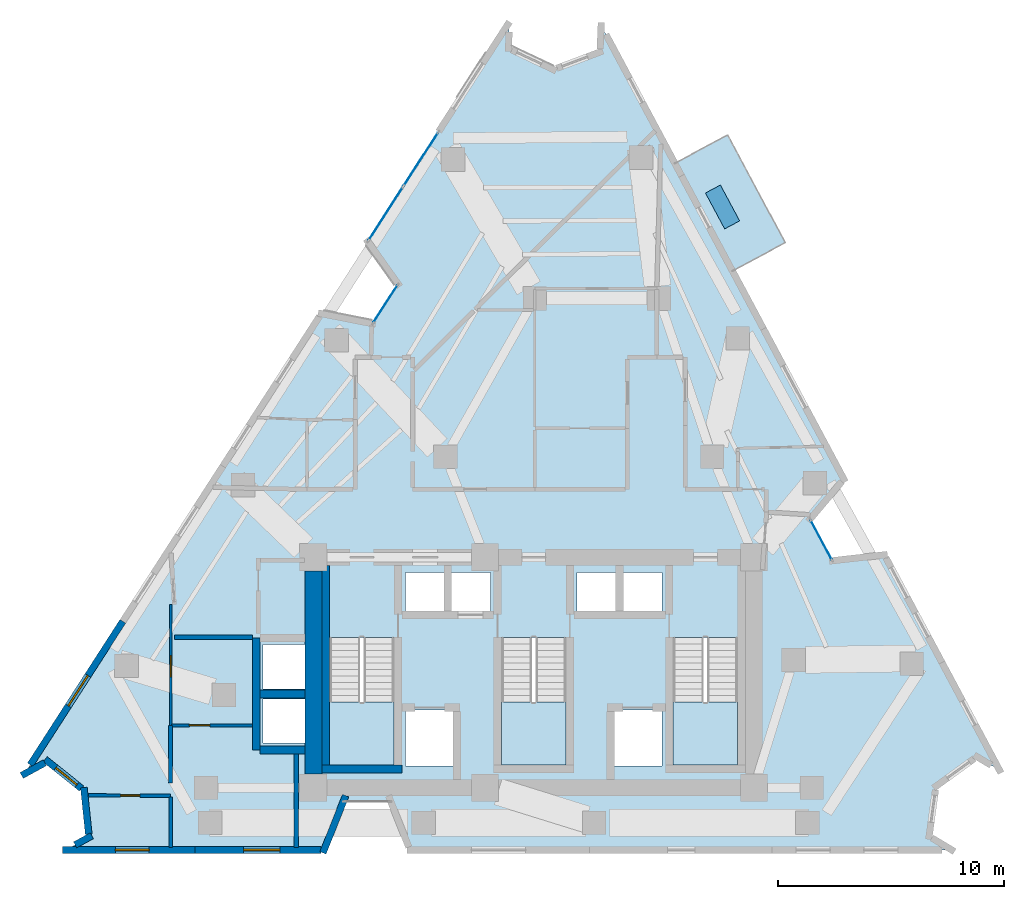
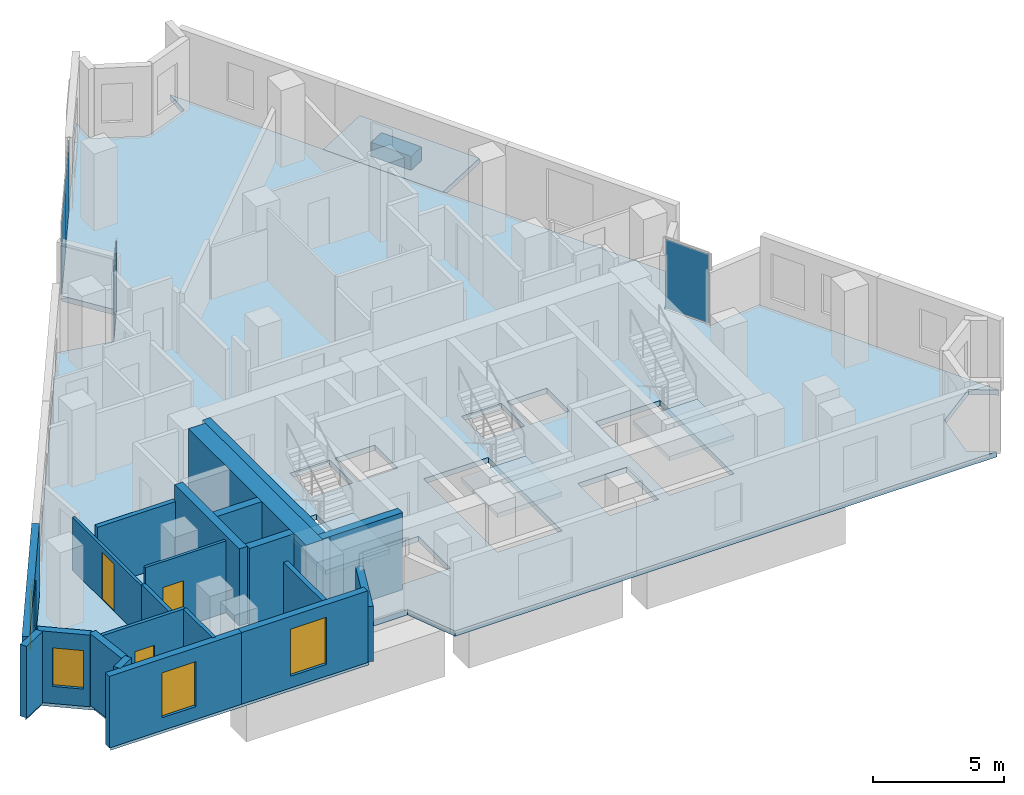
# One storey, part 6 of 11: 21 walls, 5 plates, 5 slabs, 4 windows, 3 doors, 7 openings, 6 elements without a shape of their own.
"""IFC4 building model written with IfcOpenShell, lengths in metres."""

from ifc_helpers import new_model, si_unit, direction, frame, frame_2d, origin, origin_2d, place, context, subcontext, project, spatial, polyline, rectangle, outline, extrude, material, layer, layer_set, type_object, element, fill, aggregate, save


model = new_model("IFC4")

# Units and contexts
model_context = context("Model", 3, precision=1e-05, world=origin(), true_north=direction((0.0, 1.0)))
body_context = subcontext(model_context, "Body", "Model", "MODEL_VIEW")
ifc_project = project(units=[si_unit("LENGTHUNIT", "METRE"), si_unit("AREAUNIT", "SQUARE_METRE"), si_unit("VOLUMEUNIT", "CUBIC_METRE"), si_unit("PLANEANGLEUNIT", "RADIAN"), si_unit("MASSUNIT", "GRAM", prefix="KILO")], contexts=[model_context])

# Site, building, storey
site_placement = place(None, origin())
site = spatial("IfcSite", under=ifc_project, at=site_placement, CompositionType="ELEMENT")
building_placement = place(site_placement, origin())
building = spatial("IfcBuilding", under=site, at=building_placement, Name="Almagre Mirador Tower", CompositionType="ELEMENT")
storey_placement = place(building_placement, frame((0.0, 0.0, 175.199951171875)))
storey = spatial("IfcBuildingStorey", under=building, at=storey_placement, Name="L45", CompositionType="ELEMENT", Elevation=175.199951171875)

# Curtain wall, plate
ifc_material_1 = material(Name="Black anodized aluminium", Category="aluminium")
ifc_layer_1 = layer(ifc_material_1, 0.169921875)
ifc_layer_set_1 = layer_set([ifc_layer_1], Name="Black anodized aluminium")
curtain_wall_type_1 = type_object("IfcCurtainWallType", Name="CW-CRS-SYS", PredefinedType="NOTDEFINED", material=ifc_layer_set_1)
curtain_wall_1_placement = place(storey_placement, origin())
curtain_wall_1 = element("IfcCurtainWall", 1, at=curtain_wall_1_placement, inside=storey, type_object=curtain_wall_type_1, Name="L45 vertical crease curtain wall 01", PredefinedType="NOTDEFINED")
ifc_material_2 = material(Name="Dark solar-control laminated hurricane glass", Category="glass")
ifc_layer_2 = layer(ifc_material_2, 0.028076171875)
ifc_layer_set_2 = layer_set([ifc_layer_2], Name="Dark solar-control laminated hurricane glass")
plate_type_1 = type_object("IfcPlateType", Name="PLT-GLZ-28", PredefinedType="CURTAIN_PANEL", material=ifc_layer_set_2)
plate_1_placement = place(storey_placement, frame((30.740966796875, 25.958984375, 0.06005859375), z_axis=(0.0, 0.0, 1.0), x_axis=(0.541821572943, 0.840493535426, 0.0)))
plate_1 = element("IfcPlate", 2, at=plate_1_placement, type_object=plate_type_1, Name="CW-4 panel 1.1", PredefinedType="CURTAIN_PANEL", context=body_context, shape_type="SweptSolid", body=[
    extrude(rectangle(XDim=1.96923828125, YDim=0.028076171875, at=origin_2d()), origin(), (0.0, 0.0, 1.0), 3.22998046875),
])
aggregate(curtain_wall_1, [plate_1])

curtain_wall_2_placement = place(storey_placement, origin())
curtain_wall_2 = element("IfcCurtainWall", 3, at=curtain_wall_2_placement, inside=storey, type_object=curtain_wall_type_1, Name="L45 vertical crease curtain wall 03", PredefinedType="NOTDEFINED")
plate_2_placement = place(storey_placement, frame((50.02392578125, 15.514404296875, 0.06005859375), z_axis=(0.0, 0.0, 1.0), x_axis=(0.47173010875, -0.881742992316, 0.0)))
plate_2 = element("IfcPlate", 4, at=plate_2_placement, type_object=plate_type_1, Name="CW-4 panel 1.1", PredefinedType="CURTAIN_PANEL", context=body_context, shape_type="SweptSolid", body=[
    extrude(rectangle(XDim=1.97021484375, YDim=0.028076171875, at=origin_2d()), origin(), (0.0, 0.0, 1.0), 3.22998046875),
])
aggregate(curtain_wall_2, [plate_2])

# Curtain wall, plates
ifc_material_3 = material(Name="Black anodized aluminium", Category="aluminium")
ifc_layer_3 = layer(ifc_material_3, 0.199951171875)
ifc_layer_set_3 = layer_set([ifc_layer_3], Name="Black anodized aluminium")
curtain_wall_type_2 = type_object("IfcCurtainWallType", Name="CW-RES-H-SYS", PredefinedType="NOTDEFINED", material=ifc_layer_set_3)
curtain_wall_3_placement = place(storey_placement, origin())
curtain_wall_3 = element("IfcCurtainWall", 5, at=curtain_wall_3_placement, inside=storey, type_object=curtain_wall_type_2, Name="L45 curtain wall run 02", PredefinedType="NOTDEFINED")
ifc_material_4 = material(Name="Dark solar-control laminated hurricane glass", Category="glass")
ifc_layer_4 = layer(ifc_material_4, 0.035888671875)
ifc_layer_set_4 = layer_set([ifc_layer_4], Name="Dark solar-control laminated hurricane glass")
plate_type_2 = type_object("IfcPlateType", Name="PLT-GLZ-36", PredefinedType="CURTAIN_PANEL", material=ifc_layer_set_4)
plate_3_placement = place(storey_placement, frame((30.75634765625, 29.949462890625, 0.06494140625), z_axis=(0.0, 0.0, 1.0), x_axis=(0.542024442963, 0.840362721229, 0.0)))
plate_3 = element("IfcPlate", 6, at=plate_3_placement, type_object=plate_type_2, Name="CW-3 panel 1.1", PredefinedType="CURTAIN_PANEL", context=body_context, shape_type="SweptSolid", body=[
    extrude(rectangle(XDim=2.79345703125, YDim=0.035888671875, at=origin_2d()), origin(), (0.0, 0.0, 1.0), 3.219970703125),
])
plate_4_placement = place(storey_placement, frame((32.3056640625, 32.3515625, 0.06494140625), z_axis=(0.0, 0.0, 1.0), x_axis=(0.542024442963, 0.840362721229, 0.0)))
plate_4 = element("IfcPlate", 7, at=plate_4_placement, type_object=plate_type_2, Name="CW-3 panel 2.1", PredefinedType="CURTAIN_PANEL", context=body_context, shape_type="SweptSolid", body=[
    extrude(rectangle(XDim=2.79345703125, YDim=0.035888671875, at=origin_2d()), origin(), (0.0, 0.0, 1.0), 3.219970703125),
])
aggregate(curtain_wall_3, [plate_3, plate_4])

# Plate
ifc_material_5 = material(Name="Precast concrete C50/60", Category="concrete")
ifc_layer_5 = layer(ifc_material_5, 0.64990234375)
ifc_layer_set_5 = layer_set([ifc_layer_5], Name="Precast concrete C50/60")
plate_type_3 = type_object("IfcPlateType", Name="PLT-PLANTER-1800", PredefinedType="USERDEFINED", material=ifc_layer_set_5)
plate_5_placement = place(storey_placement, frame((45.657958984375, 30.248046875, 0.0), z_axis=(0.0, 0.0, 1.0), x_axis=(-0.471735335523, 0.881740195987, 0.0)))
element("IfcPlate", 8, at=plate_5_placement, inside=storey, type_object=plate_type_3, Name="L45 east balcony structural tree planter 1", ObjectType="PLANTER", PredefinedType="USERDEFINED", context=body_context, shape_type="SweptSolid", body=[
    extrude(rectangle(XDim=1.800048828125, YDim=0.75, at=origin_2d()), origin(), (0.0, 0.0, 1.0), 0.64990234375),
])

# Slabs
ifc_material_6 = material(Name="Concrete C45/55", Category="concrete")
ifc_layer_6 = layer(ifc_material_6, 0.239990234375)
ifc_layer_set_6 = layer_set([ifc_layer_6], Name="Concrete C45/55")
slab_type_1 = type_object("IfcSlabType", Name="SLB-BAL-240", PredefinedType="USERDEFINED", material=ifc_layer_set_6)
slab_1_placement = place(storey_placement, frame((0.0, 0.0, -0.239990234375)))
element("IfcSlab", 9, at=slab_1_placement, inside=storey, type_object=slab_type_1, Name="L45 east planted tree balcony 1", ObjectType="BALCONY", PredefinedType="USERDEFINED", context=body_context, shape_type="SweptSolid", body=[
    extrude(outline(polyline([(46.075927734375, 27.409912109375), (43.528076171875, 32.172119140625), (45.883056640625, 33.430908203125), (48.429931640625, 28.6689453125), (46.075927734375, 27.409912109375)])), origin(), (0.0, 0.0, 1.0), 0.239990234375),
])
ifc_material_7 = material(Name="Concrete C45/55", Category="concrete")
ifc_layer_7 = layer(ifc_material_7, 0.25)
ifc_layer_set_7 = layer_set([ifc_layer_7], Name="Concrete C45/55")
slab_type_2 = type_object("IfcSlabType", Name="SLB-FLR-250", PredefinedType="FLOOR", material=ifc_layer_set_7)
slab_2_placement = place(storey_placement, frame((0.0, 0.0, -0.25)))
element("IfcSlab", 10, at=slab_2_placement, inside=storey, type_object=slab_type_2, Name="L45 structural floor slab", PredefinedType="FLOOR", context=body_context, shape_type="SweptSolid", body=[
    extrude(outline(polyline([(14.76806640625, 5.160888671875), (15.794921875, 5.720947265625), (17.412109375, 4.422119140625), (17.626953125, 2.360107421875), (16.60009765625, 1.800048828125), (28.028076171875, 1.800048828125), (28.883056640625, 3.949951171875), (30.972900390625, 3.949951171875), (31.827880859375, 1.800048828125), (55.800048828125, 1.800048828125), (54.7958984375, 2.40087890625), (55.09912109375, 4.615966796875), (56.908935546875, 5.927978515625), (57.9130859375, 5.326904296875), (52.81591796875, 14.85302734375), (50.51708984375, 14.593017578125), (49.531005859375, 16.43603515625), (51.02392578125, 18.2041015625), (40.287109375, 38.27294921875), (40.239013671875, 37.10400390625), (38.176025390625, 36.324951171875), (36.18408203125, 37.27001953125), (36.23193359375, 38.43896484375), (29.964111328125, 28.720947265625), (31.306884765625, 26.8369140625), (30.175048828125, 25.0810546875), (27.904052734375, 25.528076171875), (14.76806640625, 5.160888671875)]), holes=[polyline([(43.47509765625, 5.550048828125), (43.47509765625, 11.196044921875), (46.324951171875, 11.196044921875), (46.324951171875, 5.550048828125), (43.47509765625, 5.550048828125)]), polyline([(40.820068359375, 5.52001953125), (40.820068359375, 7.97998046875), (42.97998046875, 7.97998046875), (42.97998046875, 5.52001953125), (40.820068359375, 5.52001953125)]), polyline([(41.219970703125, 12.320068359375), (41.219970703125, 14.080078125), (42.97998046875, 14.080078125), (42.97998046875, 12.320068359375), (41.219970703125, 12.320068359375)]), polyline([(39.219970703125, 12.320068359375), (39.219970703125, 14.080078125), (40.97998046875, 14.080078125), (40.97998046875, 12.320068359375), (39.219970703125, 12.320068359375)]), polyline([(35.875, 11.196044921875), (38.72509765625, 11.196044921875), (38.72509765625, 5.550048828125), (35.875, 5.550048828125), (35.875, 11.196044921875)]), polyline([(35.3798828125, 12.320068359375), (33.6201171875, 12.320068359375), (33.6201171875, 14.080078125), (35.3798828125, 14.080078125), (35.3798828125, 12.320068359375)]), polyline([(33.780029296875, 5.52001953125), (31.6201171875, 5.52001953125), (31.6201171875, 7.97998046875), (33.780029296875, 7.97998046875), (33.780029296875, 5.52001953125)]), polyline([(31.6201171875, 12.320068359375), (31.6201171875, 14.080078125), (33.3798828125, 14.080078125), (33.3798828125, 12.320068359375), (31.6201171875, 12.320068359375)]), polyline([(28.27490234375, 5.550048828125), (28.27490234375, 11.196044921875), (31.125, 11.196044921875), (31.125, 5.550048828125), (28.27490234375, 5.550048828125)]), polyline([(25.320068359375, 8.919921875), (25.320068359375, 10.8798828125), (27.3798828125, 10.8798828125), (27.3798828125, 8.919921875), (25.320068359375, 8.919921875)]), polyline([(27.3798828125, 6.52001953125), (25.320068359375, 6.52001953125), (25.320068359375, 8.47998046875), (27.3798828125, 8.47998046875), (27.3798828125, 6.52001953125)])]), origin(), (0.0, 0.0, 1.0), 0.25),
])

# Stair, slab
ifc_material_8 = material(Name="Concrete C45/55", Category="concrete")
stair_type = type_object("IfcStairType", Name="STR-DL-3600", PredefinedType="HALF_TURN_STAIR", material=ifc_material_8)
stair_1_placement = place(storey_placement, origin())
stair_1 = element("IfcStair", 11, at=stair_1_placement, inside=storey, type_object=stair_type, Name="L45 Protected exit stair ST-1", PredefinedType="HALF_TURN_STAIR")
ifc_material_9 = material(Name="Concrete C45/55", Category="concrete")
ifc_layer_8 = layer(ifc_material_9, 0.199951171875)
ifc_layer_set_8 = layer_set([ifc_layer_8], Name="Concrete C45/55")
slab_type_3 = type_object("IfcSlabType", Name="SLB-LND-200", PredefinedType="LANDING", material=ifc_layer_set_8)
slab_3_placement = place(storey_placement, frame((0.0, 0.0, 1.60009765625)))
slab_3 = element("IfcSlab", 12, at=slab_3_placement, type_object=slab_type_3, Name="ST-1 landing 1", PredefinedType="LANDING", context=body_context, shape_type="SweptSolid", body=[
    extrude(outline(polyline([(28.27490234375, 8.35009765625), (28.27490234375, 5.550048828125), (31.125, 5.550048828125), (31.125, 8.35009765625), (28.27490234375, 8.35009765625)])), origin(), (0.0, 0.0, 1.0), 0.199951171875),
])
aggregate(stair_1, [slab_3])

stair_2_placement = place(storey_placement, origin())
stair_2 = element("IfcStair", 13, at=stair_2_placement, inside=storey, type_object=stair_type, Name="L45 Protected exit stair ST-2", PredefinedType="HALF_TURN_STAIR")
slab_4_placement = place(storey_placement, frame((0.0, 0.0, 1.60009765625)))
slab_4 = element("IfcSlab", 14, at=slab_4_placement, type_object=slab_type_3, Name="ST-2 landing 1", PredefinedType="LANDING", context=body_context, shape_type="SweptSolid", body=[
    extrude(outline(polyline([(35.875, 8.35009765625), (35.875, 5.550048828125), (38.72509765625, 5.550048828125), (38.72509765625, 8.35009765625), (35.875, 8.35009765625)])), origin(), (0.0, 0.0, 1.0), 0.199951171875),
])
aggregate(stair_2, [slab_4])

stair_3_placement = place(storey_placement, origin())
stair_3 = element("IfcStair", 15, at=stair_3_placement, inside=storey, type_object=stair_type, Name="L45 Protected exit stair ST-3", PredefinedType="HALF_TURN_STAIR")
slab_5_placement = place(storey_placement, frame((0.0, 0.0, 1.60009765625)))
slab_5 = element("IfcSlab", 16, at=slab_5_placement, type_object=slab_type_3, Name="ST-3 landing 1", PredefinedType="LANDING", context=body_context, shape_type="SweptSolid", body=[
    extrude(outline(polyline([(43.47509765625, 8.35009765625), (43.47509765625, 5.550048828125), (46.324951171875, 5.550048828125), (46.324951171875, 8.35009765625), (43.47509765625, 8.35009765625)])), origin(), (0.0, 0.0, 1.0), 0.199951171875),
])
aggregate(stair_3, [slab_5])

# Wall
ifc_material_10 = material(Name="Precast concrete C50/60", Category="concrete")
ifc_layer_9 = layer(ifc_material_10, 0.300048828125)
ifc_layer_set_9 = layer_set([ifc_layer_9], Name="Precast concrete C50/60")
wall_type_1 = type_object("IfcWallType", Name="WAL-EXT-300", PredefinedType="SOLIDWALL", material=ifc_layer_set_9)
wall_1_placement = place(storey_placement, frame((28.98193359375, 4.198974609375, 0.0), z_axis=(0.0, 0.0, 1.0), x_axis=(-0.369487569888, -0.929235672851, 0.0)))
element("IfcWall", 17, at=wall_1_placement, inside=storey, type_object=wall_type_1, Name="L45 expressed almagre precast frame wall 23", PredefinedType="SOLIDWALL", context=body_context, shape_type="SweptSolid", body=[
    extrude(rectangle(XDim=2.7216796875, YDim=0.300048828125, at=frame_2d((1.36083984375, 0.0))), origin(), (0.0, 0.0, 1.0), 2.574951171875),
])

# Wall, opening, window
wall_2_placement = place(storey_placement, frame((27.887939453125, 1.800048828125, 0.0), z_axis=(0.0, 0.0, 1.0), x_axis=(-1.0, 0.0, 0.0)))
wall_2 = element("IfcWall", 18, at=wall_2_placement, inside=storey, type_object=wall_type_1, Name="L45 expressed almagre precast frame wall 24", PredefinedType="SOLIDWALL", context=body_context, shape_type="SweptSolid", body=[
    extrude(rectangle(XDim=5.573974609375, YDim=0.300048828125, at=frame_2d((2.787109375, 0.0))), origin(), (0.0, 0.0, 1.0), 3.35009765625),
])
opening_1_placement = place(wall_2_placement, frame((1.820068359375, 0.0, 0.550048828125)))
opening_1 = element("IfcOpeningElement", 19, at=opening_1_placement, cuts=wall_2, Name="Opening WN-06", PredefinedType="OPENING", context=body_context, shape_type="SweptSolid", body=[
    extrude(rectangle(XDim=1.60009765625, YDim=2.199951171875, at=frame_2d((0.800048828125, 1.10009765625))), frame((0.0, 0.159902, 0.0), z_axis=(0.0, -1.0, 0.0), x_axis=(1.0, 0.0, 0.0)), (0.0, 0.0, 1.0), 0.320049),
])
ifc_material_11 = material(Name="Dark solar-control laminated hurricane glass", Category="glass")
window_type_1 = type_object("IfcWindowType", Name="WIN-1600X2200", PartitioningType="DOUBLE_PANEL_VERTICAL", PredefinedType="WINDOW", material=ifc_material_11)
window_1_placement = place(opening_1_placement, origin())
window_1 = element("IfcWindow", 20, at=window_1_placement, inside=storey, type_object=window_type_1, Name="L45 recessed hurricane window L45-UA-MB", OverallHeight=2.199951171875, OverallWidth=1.60009765625, PartitioningType="SINGLE_PANEL", PredefinedType="WINDOW", context=body_context, shape_type="SweptSolid", body=[
    extrude(rectangle(XDim=1.60009765625, YDim=2.199951171875, at=frame_2d((0.800048828125, 1.10009765625))), frame((0.0, 0.030029296875, 0.0), z_axis=(0.0, -1.0, 0.0), x_axis=(1.0, 0.0, 0.0)), (0.0, 0.0, 1.0), 0.06005859375),
])
fill(opening_1, window_1)

wall_3_placement = place(storey_placement, frame((22.31396484375, 1.800048828125, 0.0), z_axis=(0.0, 0.0, 1.0), x_axis=(-1.0, 0.0, 0.0)))
wall_3 = element("IfcWall", 21, at=wall_3_placement, inside=storey, type_object=wall_type_1, Name="L45 expressed almagre precast frame wall 25", PredefinedType="SOLIDWALL", context=body_context, shape_type="SweptSolid", body=[
    extrude(rectangle(XDim=5.85400390625, YDim=0.300048828125, at=frame_2d((2.927001953125, 0.0))), origin(), (0.0, 0.0, 1.0), 3.35009765625),
])
opening_2_placement = place(wall_3_placement, frame((2.02490234375, 0.0, 0.60009765625)))
opening_2 = element("IfcOpeningElement", 22, at=opening_2_placement, cuts=wall_3, Name="Opening WN-03", PredefinedType="OPENING", context=body_context, shape_type="SweptSolid", body=[
    extrude(rectangle(XDim=1.5, YDim=2.10009765625, at=frame_2d((0.75, 1.050048828125))), frame((0.0, 0.159902, 0.0), z_axis=(0.0, -1.0, 0.0), x_axis=(1.0, 0.0, 0.0)), (0.0, 0.0, 1.0), 0.320049),
])
ifc_material_12 = material(Name="Dark solar-control laminated hurricane glass", Category="glass")
window_type_2 = type_object("IfcWindowType", Name="WIN-1500X2100", PartitioningType="DOUBLE_PANEL_VERTICAL", PredefinedType="WINDOW", material=ifc_material_12)
window_2_placement = place(opening_2_placement, origin())
window_2 = element("IfcWindow", 23, at=window_2_placement, inside=storey, type_object=window_type_2, Name="L45 recessed hurricane window L45-UA-HB", OverallHeight=2.10009765625, OverallWidth=1.5, PartitioningType="SINGLE_PANEL", PredefinedType="WINDOW", context=body_context, shape_type="SweptSolid", body=[
    extrude(rectangle(XDim=1.5, YDim=2.10009765625, at=frame_2d((0.75, 1.050048828125))), frame((0.0, 0.030029296875, 0.0), z_axis=(0.0, -1.0, 0.0), x_axis=(1.0, 0.0, 0.0)), (0.0, 0.0, 1.0), 0.06005859375),
])
fill(opening_2, window_2)

# Walls
wall_4_placement = place(storey_placement, frame((17.0126953125, 2.02490234375, 0.0), z_axis=(0.0, 0.0, 1.0), x_axis=(0.877928900016, 0.478791025936, 0.0)))
element("IfcWall", 24, at=wall_4_placement, inside=storey, type_object=wall_type_1, Name="L45 expressed almagre precast frame wall 26", PredefinedType="SOLIDWALL", context=body_context, shape_type="SweptSolid", body=[
    extrude(rectangle(XDim=0.83984375, YDim=0.300048828125, at=frame_2d((0.419921875, 0.0))), origin(), (0.0, 0.0, 1.0), 3.35009765625),
])
wall_5_placement = place(storey_placement, frame((17.612548828125, 2.499267578125, 0.0), z_axis=(0.0, 0.0, 1.0), x_axis=(-0.10374684954, 0.994603735771, 0.0)))
element("IfcWall", 25, at=wall_5_placement, inside=storey, type_object=wall_type_1, Name="L45 expressed almagre precast frame wall 27", PredefinedType="SOLIDWALL", context=body_context, shape_type="SweptSolid", body=[
    extrude(rectangle(XDim=2.0732421875, YDim=0.300048828125, at=frame_2d((1.03662109375, 0.0))), origin(), (0.0, 0.0, 1.0), 3.35009765625),
])

# Wall, opening, window
wall_6_placement = place(storey_placement, frame((17.29345703125, 4.51708984375, 0.0), z_axis=(0.0, 0.0, 1.0), x_axis=(-0.779596670004, 0.626281911058, 0.0)))
wall_6 = element("IfcWall", 26, at=wall_6_placement, inside=storey, type_object=wall_type_1, Name="L45 expressed almagre precast frame wall 28", PredefinedType="SOLIDWALL", context=body_context, shape_type="SweptSolid", body=[
    extrude(rectangle(XDim=2.062255859375, YDim=0.300048828125, at=frame_2d((1.03125, 0.0))), origin(), (0.0, 0.0, 1.0), 3.35009765625),
])
opening_3_placement = place(wall_6_placement, frame((0.258056640625, 0.0, 0.800048828125)))
opening_3 = element("IfcOpeningElement", 27, at=opening_3_placement, cuts=wall_6, Name="Opening WN-04", PredefinedType="OPENING", context=body_context, shape_type="SweptSolid", body=[
    extrude(rectangle(XDim=1.199951171875, YDim=1.800048828125, at=frame_2d((0.60009765625, 0.89990234375))), frame((0.0, 0.159902, 0.0), z_axis=(0.0, -1.0, 0.0), x_axis=(1.0, 0.0, 0.0)), (0.0, 0.0, 1.0), 0.320049),
])
ifc_material_13 = material(Name="Dark solar-control laminated hurricane glass", Category="glass")
window_type_3 = type_object("IfcWindowType", Name="WIN-1200X1800", PartitioningType="SINGLE_PANEL", PredefinedType="WINDOW", material=ifc_material_13)
window_3_placement = place(opening_3_placement, origin())
window_3 = element("IfcWindow", 28, at=window_3_placement, inside=storey, type_object=window_type_3, Name="L45 recessed hurricane window L45-UA-LV", OverallHeight=1.800048828125, OverallWidth=1.199951171875, PartitioningType="SINGLE_PANEL", PredefinedType="WINDOW", context=body_context, shape_type="SweptSolid", body=[
    extrude(rectangle(XDim=1.199951171875, YDim=1.800048828125, at=frame_2d((0.60009765625, 0.89990234375))), frame((0.0, 0.030029296875, 0.0), z_axis=(0.0, -1.0, 0.0), x_axis=(1.0, 0.0, 0.0)), (0.0, 0.0, 1.0), 0.06005859375),
])
fill(opening_3, window_3)

# Wall
wall_7_placement = place(storey_placement, frame((15.672119140625, 5.654052734375, 0.0), z_axis=(0.0, 0.0, 1.0), x_axis=(-0.877959368473, -0.478735153619, 0.0)))
element("IfcWall", 29, at=wall_7_placement, inside=storey, type_object=wall_type_1, Name="L45 expressed almagre precast frame wall 29", PredefinedType="SOLIDWALL", context=body_context, shape_type="SweptSolid", body=[
    extrude(rectangle(XDim=1.169921875, YDim=0.300048828125, at=frame_2d((0.5849609375, 0.0))), origin(), (0.0, 0.0, 1.0), 3.35009765625),
])

# Wall, opening, window
wall_8_placement = place(storey_placement, frame((15.028076171875, 5.564208984375, 0.0), z_axis=(0.0, 0.0, 1.0), x_axis=(0.541998742133, 0.840379297417, 0.0)))
wall_8 = element("IfcWall", 30, at=wall_8_placement, inside=storey, type_object=wall_type_1, Name="L45 expressed almagre precast frame wall 30", PredefinedType="SOLIDWALL", context=body_context, shape_type="SweptSolid", body=[
    extrude(rectangle(XDim=7.55224609375, YDim=0.300048828125, at=frame_2d((3.776123046875, 0.0))), origin(), (0.0, 0.0, 1.0), 3.35009765625),
])
opening_4_placement = place(wall_8_placement, frame((3.10498046875, 0.0, 0.550048828125)))
opening_4 = element("IfcOpeningElement", 31, at=opening_4_placement, cuts=wall_8, Name="Opening WN-06", PredefinedType="OPENING", context=body_context, shape_type="SweptSolid", body=[
    extrude(rectangle(XDim=1.60009765625, YDim=2.199951171875, at=frame_2d((0.800048828125, 1.10009765625))), frame((0.0, 0.159902, 0.0), z_axis=(0.0, -1.0, 0.0), x_axis=(1.0, 0.0, 0.0)), (0.0, 0.0, 1.0), 0.320049),
])
window_4_placement = place(opening_4_placement, origin())
window_4 = element("IfcWindow", 32, at=window_4_placement, inside=storey, type_object=window_type_1, Name="L45 recessed hurricane window L45-UA-LV", OverallHeight=2.199951171875, OverallWidth=1.60009765625, PartitioningType="SINGLE_PANEL", PredefinedType="WINDOW", context=body_context, shape_type="SweptSolid", body=[
    extrude(rectangle(XDim=1.60009765625, YDim=2.199951171875, at=frame_2d((0.800048828125, 1.10009765625))), frame((0.0, 0.030029296875, 0.0), z_axis=(0.0, -1.0, 0.0), x_axis=(1.0, 0.0, 0.0)), (0.0, 0.0, 1.0), 0.06005859375),
])
fill(opening_4, window_4)

# Wall, opening, door
ifc_material_14 = material(Name="Gypsum acoustic stud partition", Category="other")
ifc_layer_10 = layer(ifc_material_14, 0.125)
ifc_layer_set_10 = layer_set([ifc_layer_10], Name="Gypsum acoustic stud partition")
wall_type_2 = type_object("IfcWallType", Name="WAL-PRT-125-UTL", PredefinedType="PARTITIONING", material=ifc_layer_set_10)
wall_9_placement = place(storey_placement, frame((21.239990234375, 7.31005859375, 0.0), z_axis=(0.0, 0.0, 1.0), x_axis=(0.0, 1.0, 0.0)))
wall_9 = element("IfcWall", 33, at=wall_9_placement, inside=storey, type_object=wall_type_2, Name="L45 interior partition 026", PredefinedType="PARTITIONING", context=body_context, shape_type="SweptSolid", body=[
    extrude(rectangle(XDim=5.349853515625, YDim=0.125, at=frame_2d((2.6748046875, 0.0))), origin(), (0.0, 0.0, 1.0), 2.464111328125),
])
opening_5_placement = place(wall_9_placement, frame((2.14111328125, 0.0, 0.0)))
opening_5 = element("IfcOpeningElement", 34, at=opening_5_placement, cuts=wall_9, Name="Opening UD-01", PredefinedType="OPENING", context=body_context, shape_type="SweptSolid", body=[
    extrude(rectangle(XDim=0.949951171875, YDim=2.199951171875, at=frame_2d((0.47509765625, 1.10009765625))), frame((0.0, 0.0725, 0.0), z_axis=(0.0, -1.0, 0.0), x_axis=(1.0, 0.0, 0.0)), (0.0, 0.0, 1.0), 0.145),
])
ifc_material_15 = material(Name="Solid American walnut timber", Category="wood")
door_type_1 = type_object("IfcDoorType", Name="DOR-UNR-950X2200", OperationType="NOTDEFINED", PredefinedType="DOOR", material=ifc_material_15)
door_1_placement = place(opening_5_placement, origin())
door_1 = element("IfcDoor", 35, at=door_1_placement, inside=storey, type_object=door_type_1, Name="DR-1437 L45 interior door L45-UA-LV to L45-UA-KT", OperationType="SINGLE_SWING_LEFT", OverallHeight=2.199951171875, OverallWidth=0.949951171875, PredefinedType="DOOR", context=body_context, shape_type="SweptSolid", body=[
    extrude(rectangle(XDim=0.949951171875, YDim=2.199951171875, at=frame_2d((0.47509765625, 1.10009765625))), frame((0.0, 0.02490234375, 0.0), z_axis=(0.0, -1.0, 0.0), x_axis=(1.0, 0.0, 0.0)), (0.0, 0.0, 1.0), 0.050048828125),
])
fill(opening_5, door_1)

wall_10_placement = place(storey_placement, frame((21.28759765625, 7.31005859375, 0.0), z_axis=(0.0, 0.0, 1.0), x_axis=(1.0, 0.0, 0.0)))
wall_10 = element("IfcWall", 36, at=wall_10_placement, inside=storey, type_object=wall_type_2, Name="L45 interior partition 029", PredefinedType="PARTITIONING", context=body_context, shape_type="SweptSolid", body=[
    extrude(rectangle(XDim=3.577392578125, YDim=0.125, at=frame_2d((1.78857421875, 0.0))), origin(), (0.0, 0.0, 1.0), 3.35009765625),
])
opening_6_placement = place(wall_10_placement, frame((0.782470703125, 0.0, 0.0)))
opening_6 = element("IfcOpeningElement", 37, at=opening_6_placement, cuts=wall_10, Name="Opening UD-02", PredefinedType="OPENING", context=body_context, shape_type="SweptSolid", body=[
    extrude(rectangle(XDim=0.89990234375, YDim=2.14990234375, at=frame_2d((0.449951171875, 1.074951171875))), frame((0.0, 0.0725, 0.0), z_axis=(0.0, -1.0, 0.0), x_axis=(1.0, 0.0, 0.0)), (0.0, 0.0, 1.0), 0.145),
])
ifc_material_16 = material(Name="Solid American walnut timber", Category="wood")
door_type_2 = type_object("IfcDoorType", Name="DOR-UNR-900X2150", OperationType="NOTDEFINED", PredefinedType="DOOR", material=ifc_material_16)
door_2_placement = place(opening_6_placement, origin())
door_2 = element("IfcDoor", 38, at=door_2_placement, inside=storey, type_object=door_type_2, Name="DR-1439 L45 interior door L45-UA-KT to L45-UA-MB", OperationType="SINGLE_SWING_LEFT", OverallHeight=2.14990234375, OverallWidth=0.89990234375, PredefinedType="DOOR", context=body_context, shape_type="SweptSolid", body=[
    extrude(rectangle(XDim=0.89990234375, YDim=2.14990234375, at=frame_2d((0.449951171875, 1.074951171875))), frame((0.0, 0.02490234375, 0.0), z_axis=(0.0, -1.0, 0.0), x_axis=(1.0, 0.0, 0.0)), (0.0, 0.0, 1.0), 0.050048828125),
])
fill(opening_6, door_2)

ifc_material_17 = material(Name="Gypsum acoustic stud partition", Category="other")
ifc_layer_11 = layer(ifc_material_17, 0.14990234375)
ifc_layer_set_11 = layer_set([ifc_layer_11], Name="Gypsum acoustic stud partition")
wall_type_3 = type_object("IfcWallType", Name="WAL-PRT-150-STD", PredefinedType="PARTITIONING", material=ifc_layer_set_11)
wall_11_placement = place(storey_placement, frame((17.593017578125, 4.212890625, 0.0), z_axis=(0.0, 0.0, 1.0), x_axis=(0.999993705913, -0.003547976062, 0.0)))
wall_11 = element("IfcWall", 39, at=wall_11_placement, inside=storey, type_object=wall_type_3, Name="L45 interior partition 025", PredefinedType="PARTITIONING", context=body_context, shape_type="SweptSolid", body=[
    extrude(rectangle(XDim=3.64697265625, YDim=0.14990234375, at=frame_2d((1.823486328125, 0.0))), origin(), (0.0, 0.0, 1.0), 3.35009765625),
])
opening_7_placement = place(wall_11_placement, frame((1.434814453125, 0.0, 0.0)))
opening_7 = element("IfcOpeningElement", 40, at=opening_7_placement, cuts=wall_11, Name="Opening UD-04", PredefinedType="OPENING", context=body_context, shape_type="SweptSolid", body=[
    extrude(rectangle(XDim=0.85009765625, YDim=2.10009765625, at=frame_2d((0.425048828125, 1.050048828125))), frame((0.0, 0.084951, 0.0), z_axis=(0.0, -1.0, 0.0), x_axis=(1.0, 0.0, 0.0)), (0.0, 0.0, 1.0), 0.169902),
])
ifc_material_18 = material(Name="Moisture-resistant oak timber", Category="wood")
door_type_3 = type_object("IfcDoorType", Name="DOR-UNR-850X2100", OperationType="NOTDEFINED", PredefinedType="DOOR", material=ifc_material_18)
door_3_placement = place(opening_7_placement, origin())
door_3 = element("IfcDoor", 41, at=door_3_placement, inside=storey, type_object=door_type_3, Name="DR-1438 L45 interior door L45-UA-LV to L45-UA-HB", OperationType="SINGLE_SWING_RIGHT", OverallHeight=2.10009765625, OverallWidth=0.85009765625, PredefinedType="DOOR", context=body_context, shape_type="SweptSolid", body=[
    extrude(rectangle(XDim=0.85009765625, YDim=2.10009765625, at=frame_2d((0.425048828125, 1.050048828125))), frame((0.0, 0.02490234375, 0.0), z_axis=(0.0, -1.0, 0.0), x_axis=(1.0, 0.0, 0.0)), (0.0, 0.0, 1.0), 0.050048828125),
])
fill(opening_7, door_3)

# Walls
wall_12_placement = place(storey_placement, frame((21.239990234375, 1.89990234375, 0.0), z_axis=(0.0, 0.0, 1.0), x_axis=(0.0, 1.0, 0.0)))
element("IfcWall", 42, at=wall_12_placement, inside=storey, type_object=wall_type_3, Name="L45 interior partition 028", PredefinedType="PARTITIONING", context=body_context, shape_type="SweptSolid", body=[
    extrude(rectangle(XDim=2.239990234375, YDim=0.14990234375, at=frame_2d((1.1201171875, 0.0))), origin(), (0.0, 0.0, 1.0), 3.35009765625),
])
ifc_material_19 = material(Name="Gypsum acoustic stud partition", Category="other")
ifc_layer_12 = layer(ifc_material_19, 0.175048828125)
ifc_layer_set_12 = layer_set([ifc_layer_12], Name="Gypsum acoustic stud partition")
wall_type_4 = type_object("IfcWallType", Name="WAL-PRT-175-AC", PredefinedType="PARTITIONING", material=ifc_layer_set_12)
wall_13_placement = place(storey_placement, frame((21.239990234375, 4.77001953125, 0.0), z_axis=(0.0, 0.0, 1.0), x_axis=(0.0, 1.0, 0.0)))
element("IfcWall", 43, at=wall_13_placement, inside=storey, type_object=wall_type_4, Name="L45 interior partition 027", PredefinedType="PARTITIONING", context=body_context, shape_type="SweptSolid", body=[
    extrude(rectangle(XDim=2.5400390625, YDim=0.175048828125, at=frame_2d((1.27001953125, 0.0))), origin(), (0.0, 0.0, 1.0), 2.570068359375),
])
ifc_material_20 = material(Name="Gypsum acoustic stud partition", Category="other")
ifc_layer_13 = layer(ifc_material_20, 0.199951171875)
ifc_layer_set_13 = layer_set([ifc_layer_13], Name="Gypsum acoustic stud partition")
wall_type_5 = type_object("IfcWallType", Name="WAL-PRT-200-EI60", PredefinedType="PARTITIONING", material=ifc_layer_set_13)
wall_14_placement = place(storey_placement, frame((21.39990234375, 11.199951171875, 0.0), z_axis=(0.0, 0.0, 1.0), x_axis=(1.0, 0.0, 0.0)))
element("IfcWall", 44, at=wall_14_placement, inside=storey, type_object=wall_type_5, Name="L45 interior partition 003", PredefinedType="PARTITIONING", context=body_context, shape_type="SweptSolid", body=[
    extrude(rectangle(XDim=3.46923828125, YDim=0.199951171875, at=frame_2d((1.734619140625, 0.0))), origin(), (0.0, 0.0, 1.0), 2.860107421875),
])
wall_15_placement = place(storey_placement, frame((26.800048828125, 1.89990234375, 0.0), z_axis=(0.0, 0.0, 1.0), x_axis=(0.0, 1.0, 0.0)))
element("IfcWall", 45, at=wall_15_placement, inside=storey, type_object=wall_type_5, Name="L45 interior partition 030", PredefinedType="PARTITIONING", context=body_context, shape_type="SweptSolid", body=[
    extrude(rectangle(XDim=4.1650390625, YDim=0.199951171875, at=frame_2d((2.08251953125, 0.0))), origin(), (0.0, 0.0, 1.0), 2.43603515625),
])
ifc_material_21 = material(Name="Concrete C60/75", Category="concrete")
ifc_layer_14 = layer(ifc_material_21, 0.35009765625)
ifc_layer_set_14 = layer_set([ifc_layer_14], Name="Concrete C60/75")
wall_type_6 = type_object("IfcWallType", Name="WAL-SHF-350", PredefinedType="SOLIDWALL", material=ifc_layer_set_14)
wall_16_placement = place(storey_placement, frame((28.10009765625, 5.199951171875, 0.0), z_axis=(0.0, 0.0, 1.0), x_axis=(0.0, 1.0, 0.0)))
element("IfcWall", 46, at=wall_16_placement, inside=storey, type_object=wall_type_6, Name="L45 shaft wall ST1-W", PredefinedType="SOLIDWALL", context=body_context, shape_type="SweptSolid", body=[
    extrude(rectangle(XDim=9.175048828125, YDim=0.35009765625, at=frame_2d((4.58740234375, 0.0))), origin(), (0.0, 0.0, 1.0), 3.60009765625),
])
wall_17_placement = place(storey_placement, frame((27.925048828125, 5.375, 0.0), z_axis=(0.0, 0.0, 1.0), x_axis=(1.0, 0.0, 0.0)))
element("IfcWall", 47, at=wall_17_placement, inside=storey, type_object=wall_type_6, Name="L45 shaft wall ST1-S", PredefinedType="SOLIDWALL", context=body_context, shape_type="SweptSolid", body=[
    extrude(rectangle(XDim=3.550048828125, YDim=0.35009765625, at=frame_2d((1.77490234375, 0.0))), origin(), (0.0, 0.0, 1.0), 3.60009765625),
])
wall_18_placement = place(storey_placement, frame((25.02490234375, 6.22509765625, 0.0), z_axis=(0.0, 0.0, 1.0), x_axis=(0.0, 1.0, 0.0)))
element("IfcWall", 48, at=wall_18_placement, inside=storey, type_object=wall_type_6, Name="L45 shaft wall OL-W", PredefinedType="SOLIDWALL", context=body_context, shape_type="SweptSolid", body=[
    extrude(rectangle(XDim=4.949951171875, YDim=0.35009765625, at=frame_2d((2.47509765625, 0.0))), origin(), (0.0, 0.0, 1.0), 3.60009765625),
])
for number, where, z_axis, x_axis, name in (
    (49, (25.199951171875, 6.22509765625, 0.0), (0.0, 0.0, 1.0), (1.0, 0.0, 0.0), "L45 shaft wall OL-S"),
    (50, (25.199951171875, 8.699951171875, 0.0), (0.0, 0.0, 1.0), (1.0, 0.0, 0.0), "L45 shaft wall OL-M"),
):
    element("IfcWall", number, at=place(storey_placement, frame(where, z_axis=z_axis, x_axis=x_axis)), inside=storey, type_object=wall_type_6, Name=name, PredefinedType="SOLIDWALL", context=body_context, shape_type="SweptSolid", body=[
        extrude(rectangle(XDim=1.97509765625, YDim=0.35009765625, at=frame_2d((0.987548828125, 0.0))), origin(), (0.0, 0.0, 1.0), 3.60009765625),
    ])
ifc_material_22 = material(Name="Concrete C60/75", Category="concrete")
ifc_layer_15 = layer(ifc_material_22, 0.75)
ifc_layer_set_15 = layer_set([ifc_layer_15], Name="Concrete C60/75")
wall_type_7 = type_object("IfcWallType", Name="WAL-SHR-750", PredefinedType="SHEAR", material=ifc_layer_set_15)
wall_19_placement = place(storey_placement, frame((27.550048828125, 5.14990234375, 0.0), z_axis=(0.0, 0.0, 1.0), x_axis=(0.0, 1.0, 0.0)))
element("IfcWall", 51, at=wall_19_placement, inside=storey, type_object=wall_type_7, Name="L45 core shear wall W1", PredefinedType="SHEAR", context=body_context, shape_type="SweptSolid", body=[
    extrude(rectangle(XDim=9.0, YDim=0.75, at=frame_2d((4.5, 0.0))), origin(), (0.0, 0.0, 1.0), 3.60009765625),
])

save(model, "model.ifc")
